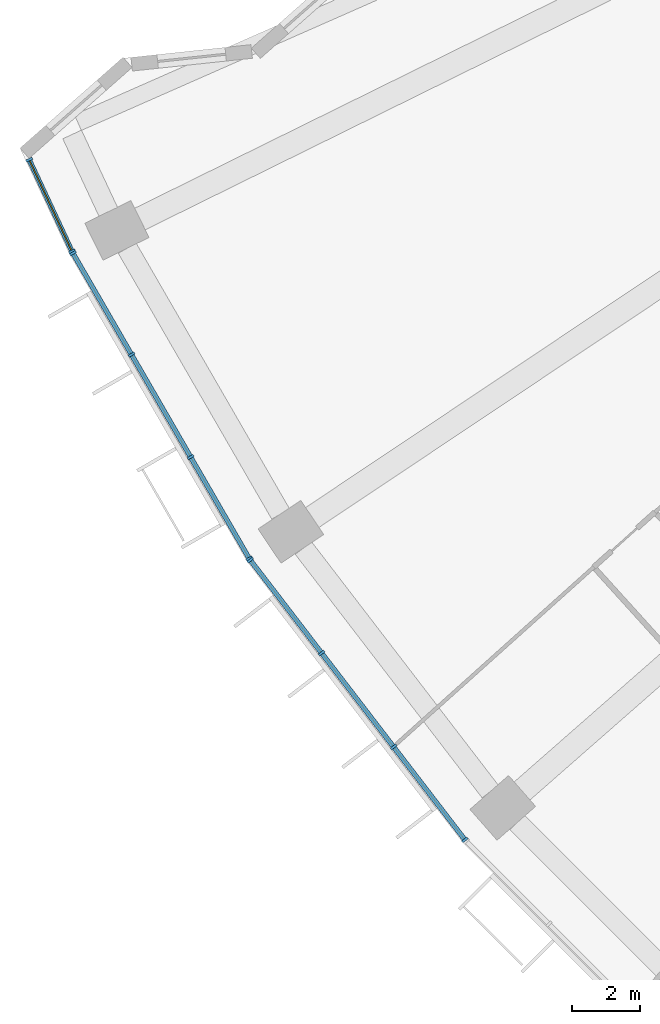
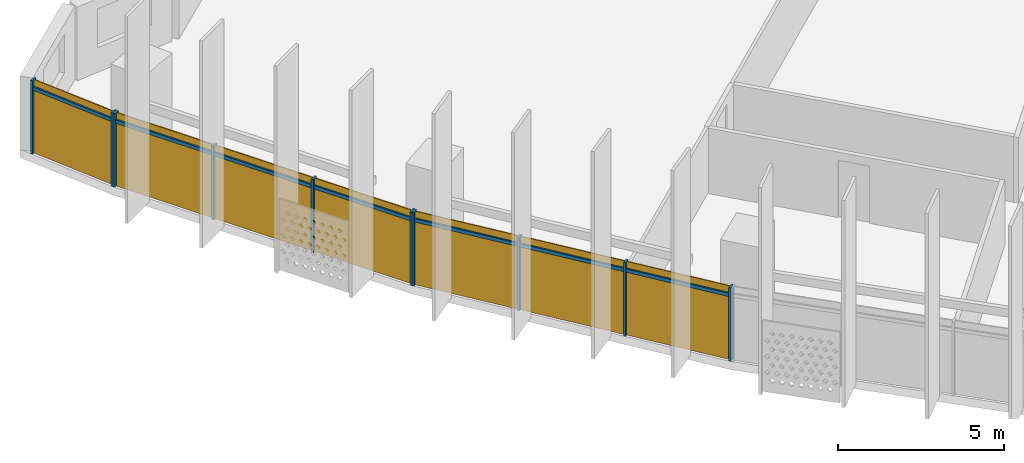
# One storey, part 19 of 29: 17 members, 3 curtain walls.
"""IFC4 building model written with IfcOpenShell, lengths in metres."""

from ifc_helpers import new_model, si_unit, direction, frame, origin, origin_2d, place, context, subcontext, project, spatial, rectangle, extrude, material, material_profile, profile_set, type_object, element, aggregate, save


model = new_model("IFC4")

# Units and contexts
model_context = context("Model", 3, precision=1e-05, world=origin(), true_north=direction((0.0, 1.0)))
body_context = subcontext(model_context, "Body", "Model", "MODEL_VIEW")
ifc_project = project(units=[si_unit("LENGTHUNIT", "METRE"), si_unit("AREAUNIT", "SQUARE_METRE"), si_unit("VOLUMEUNIT", "CUBIC_METRE"), si_unit("PLANEANGLEUNIT", "RADIAN"), si_unit("MASSUNIT", "GRAM", prefix="KILO")], contexts=[model_context])

# Member
ifc_material = material(Name="Aluminium 6063-T6 anodised", Category="aluminium")
ifc_material_profile_1 = material_profile(ifc_material, rectangle(XDim=0.199951171875, YDim=0.070068359375, at=origin_2d()))
ifc_profile_set_1 = profile_set([ifc_material_profile_1], Name="Aluminium 6063-T6 anodised")
member_type_1 = type_object("IfcMemberType", Name="Mullion 70 x 200 aluminium", PredefinedType="MULLION", material=ifc_profile_set_1)
site_placement = place(None, origin())
building_placement = place(site_placement, origin())
storey_placement = place(building_placement, frame((0.0, 0.0, 132.89990234375)))
member_1_placement = place(storey_placement, frame((-72.2958984375, -32.32177734375, 0.0), z_axis=(0.0, 0.0, 1.0), x_axis=(0.906174520745, 0.422903934662, 0.0)))
member_1 = element("IfcMember", 1, at=member_1_placement, type_object=member_type_1, Name="e-cw1-L30-out00/M00", PredefinedType="MULLION", context=body_context, shape_type="SweptSolid", body=[
    extrude(rectangle(XDim=0.199951171875, YDim=0.070068359375, at=origin_2d()), origin(), (0.0, 0.0, 1.0), 2.7001953125),
])

member_2_placement = place(storey_placement, frame((-71.046142578125, -34.99951171875, 0.0), z_axis=(0.0, 0.0, 1.0), x_axis=(0.906174520745, 0.422903934662, 0.0)))
member_2 = element("IfcMember", 2, at=member_2_placement, type_object=member_type_1, Name="e-cw1-L30-out00/M01", PredefinedType="MULLION", context=body_context, shape_type="SweptSolid", body=[
    extrude(rectangle(XDim=0.199951171875, YDim=0.070068359375, at=origin_2d()), origin(), (0.0, 0.0, 1.0), 2.7001953125),
])

member_3_placement = place(storey_placement, frame((-71.017822265625, -35.0537109375, 0.0), z_axis=(0.0, 0.0, 1.0), x_axis=(0.866025403784, 0.5, 0.0)))
member_3 = element("IfcMember", 3, at=member_3_placement, type_object=member_type_1, Name="e-cw1-L30-out01/M00", PredefinedType="MULLION", context=body_context, shape_type="SweptSolid", body=[
    extrude(rectangle(XDim=0.199951171875, YDim=0.070068359375, at=origin_2d()), origin(), (0.0, 0.0, 1.0), 2.7001953125),
])

member_4_placement = place(storey_placement, frame((-69.306640625, -38.017822265625, 0.0), z_axis=(0.0, 0.0, 1.0), x_axis=(0.866025403784, 0.5, 0.0)))
member_4 = element("IfcMember", 4, at=member_4_placement, type_object=member_type_1, Name="e-cw1-L30-out01/M01", PredefinedType="MULLION", context=body_context, shape_type="SweptSolid", body=[
    extrude(rectangle(XDim=0.199951171875, YDim=0.070068359375, at=origin_2d()), origin(), (0.0, 0.0, 1.0), 2.7001953125),
])

member_5_placement = place(storey_placement, frame((-67.577880859375, -41.01220703125, 0.0), z_axis=(0.0, 0.0, 1.0), x_axis=(0.866025403784, 0.5, 0.0)))
member_5 = element("IfcMember", 5, at=member_5_placement, type_object=member_type_1, Name="e-cw1-L30-out01/M02", PredefinedType="MULLION", context=body_context, shape_type="SweptSolid", body=[
    extrude(rectangle(XDim=0.199951171875, YDim=0.070068359375, at=origin_2d()), origin(), (0.0, 0.0, 1.0), 2.7001953125),
])

member_6_placement = place(storey_placement, frame((-65.866455078125, -43.976318359375, 0.0), z_axis=(0.0, 0.0, 1.0), x_axis=(0.866025403784, 0.5, 0.0)))
member_6 = element("IfcMember", 6, at=member_6_placement, type_object=member_type_1, Name="e-cw1-L30-out01/M03", PredefinedType="MULLION", context=body_context, shape_type="SweptSolid", body=[
    extrude(rectangle(XDim=0.199951171875, YDim=0.070068359375, at=origin_2d()), origin(), (0.0, 0.0, 1.0), 2.7001953125),
])

member_7_placement = place(storey_placement, frame((-65.8349609375, -44.023681640625, 0.0), z_axis=(0.0, 0.0, 1.0), x_axis=(0.793353340291, 0.608761429009, 0.0)))
member_7 = element("IfcMember", 7, at=member_7_placement, type_object=member_type_1, Name="e-cw1-L30-out02/M00", PredefinedType="MULLION", context=body_context, shape_type="SweptSolid", body=[
    extrude(rectangle(XDim=0.199951171875, YDim=0.070068359375, at=origin_2d()), origin(), (0.0, 0.0, 1.0), 2.7001953125),
])

member_8_placement = place(storey_placement, frame((-63.751220703125, -46.739013671875, 0.0), z_axis=(0.0, 0.0, 1.0), x_axis=(0.793353340291, 0.608761429009, 0.0)))
member_8 = element("IfcMember", 8, at=member_8_placement, type_object=member_type_1, Name="e-cw1-L30-out02/M01", PredefinedType="MULLION", context=body_context, shape_type="SweptSolid", body=[
    extrude(rectangle(XDim=0.199951171875, YDim=0.070068359375, at=origin_2d()), origin(), (0.0, 0.0, 1.0), 2.7001953125),
])

member_9_placement = place(storey_placement, frame((-61.646484375, -49.482177734375, 0.0), z_axis=(0.0, 0.0, 1.0), x_axis=(0.793353340291, 0.608761429009, 0.0)))
member_9 = element("IfcMember", 9, at=member_9_placement, type_object=member_type_1, Name="e-cw1-L30-out02/M02", PredefinedType="MULLION", context=body_context, shape_type="SweptSolid", body=[
    extrude(rectangle(XDim=0.199951171875, YDim=0.070068359375, at=origin_2d()), origin(), (0.0, 0.0, 1.0), 2.7001953125),
])

member_10_placement = place(storey_placement, frame((-59.56298828125, -52.197509765625, 0.0), z_axis=(0.0, 0.0, 1.0), x_axis=(0.793353340291, 0.608761429009, 0.0)))
member_10 = element("IfcMember", 10, at=member_10_placement, type_object=member_type_1, Name="e-cw1-L30-out02/M03", PredefinedType="MULLION", context=body_context, shape_type="SweptSolid", body=[
    extrude(rectangle(XDim=0.199951171875, YDim=0.070068359375, at=origin_2d()), origin(), (0.0, 0.0, 1.0), 2.7001953125),
])

ifc_material_profile_2 = material_profile(ifc_material, rectangle(XDim=0.139892578125, YDim=0.1201171875, at=origin_2d()))
ifc_profile_set_2 = profile_set([ifc_material_profile_2], Name="Aluminium 6063-T6 anodised")
member_type_2 = type_object("IfcMemberType", Name="Transom 120 x 140 aluminium", PredefinedType="USERDEFINED", material=ifc_profile_set_2)
member_11_placement = place(storey_placement, frame((-72.281005859375, -32.353515625, 2.400146484375), z_axis=(0.422880832464, -0.906185301986, 0.0), x_axis=(0.906185301986, 0.422880832464, 0.0)))
member_11 = element("IfcMember", 11, at=member_11_placement, type_object=member_type_2, Name="e-cw1-L30-out00/T00", ObjectType="TRANSOM", PredefinedType="USERDEFINED", context=body_context, shape_type="SweptSolid", body=[
    extrude(rectangle(XDim=0.139892578125, YDim=0.1201171875, at=origin_2d()), origin(), (0.0, 0.0, 1.0), 2.885009765625),
])

member_12_placement = place(storey_placement, frame((-71.00048828125, -35.084228515625, 2.400146484375), z_axis=(0.50006283963, -0.865989120267, 0.0), x_axis=(0.865989120267, 0.50006283963, 0.0)))
member_12 = element("IfcMember", 12, at=member_12_placement, type_object=member_type_2, Name="e-cw1-L30-out01/T00", ObjectType="TRANSOM", PredefinedType="USERDEFINED", context=body_context, shape_type="SweptSolid", body=[
    extrude(rectangle(XDim=0.139892578125, YDim=0.1201171875, at=origin_2d()), origin(), (0.0, 0.0, 1.0), 3.3525390625),
])

member_13_placement = place(storey_placement, frame((-69.2890625, -38.048095703125, 2.400146484375), z_axis=(0.499999017107, -0.866025971257, 0.0), x_axis=(0.866025971257, 0.499999017107, 0.0)))
member_13 = element("IfcMember", 13, at=member_13_placement, type_object=member_type_2, Name="e-cw1-L30-out01/T01", ObjectType="TRANSOM", PredefinedType="USERDEFINED", context=body_context, shape_type="SweptSolid", body=[
    extrude(rectangle(XDim=0.139892578125, YDim=0.1201171875, at=origin_2d()), origin(), (0.0, 0.0, 1.0), 3.3876953125),
])

member_14_placement = place(storey_placement, frame((-67.560302734375, -41.042724609375, 2.400146484375), z_axis=(0.50000822536, -0.866020654818, 0.0), x_axis=(0.866020654818, 0.50000822536, 0.0)))
member_14 = element("IfcMember", 14, at=member_14_placement, type_object=member_type_2, Name="e-cw1-L30-out01/T02", ObjectType="TRANSOM", PredefinedType="USERDEFINED", context=body_context, shape_type="SweptSolid", body=[
    extrude(rectangle(XDim=0.139892578125, YDim=0.1201171875, at=origin_2d()), origin(), (0.0, 0.0, 1.0), 3.3525390625),
])

member_15_placement = place(storey_placement, frame((-65.8134765625, -44.05126953125, 2.400146484375), z_axis=(0.608714331426, -0.793389477316, 0.0), x_axis=(0.793389477316, 0.608714331426, 0.0)))
member_15 = element("IfcMember", 15, at=member_15_placement, type_object=member_type_2, Name="e-cw1-L30-out02/T00", ObjectType="TRANSOM", PredefinedType="USERDEFINED", context=body_context, shape_type="SweptSolid", body=[
    extrude(rectangle(XDim=0.139892578125, YDim=0.1201171875, at=origin_2d()), origin(), (0.0, 0.0, 1.0), 3.3525390625),
])

member_16_placement = place(storey_placement, frame((-63.72998046875, -46.766845703125, 2.400146484375), z_axis=(0.608773427772, -0.793344133173, 0.0), x_axis=(0.793344133173, 0.608773427772, 0.0)))
member_16 = element("IfcMember", 16, at=member_16_placement, type_object=member_type_2, Name="e-cw1-L30-out02/T01", ObjectType="TRANSOM", PredefinedType="USERDEFINED", context=body_context, shape_type="SweptSolid", body=[
    extrude(rectangle(XDim=0.139892578125, YDim=0.1201171875, at=origin_2d()), origin(), (0.0, 0.0, 1.0), 3.387451171875),
])

member_17_placement = place(storey_placement, frame((-61.625244140625, -49.509765625, 2.400146484375), z_axis=(0.608760167055, -0.793354308621, 0.0), x_axis=(0.793354308621, 0.608760167055, 0.0)))
member_17 = element("IfcMember", 17, at=member_17_placement, type_object=member_type_2, Name="e-cw1-L30-out02/T02", ObjectType="TRANSOM", PredefinedType="USERDEFINED", context=body_context, shape_type="SweptSolid", body=[
    extrude(rectangle(XDim=0.139892578125, YDim=0.1201171875, at=origin_2d()), origin(), (0.0, 0.0, 1.0), 3.352783203125),
])

# Site, building, storey
site = spatial("IfcSite", under=ifc_project, at=site_placement, CompositionType="ELEMENT")
building = spatial("IfcBuilding", under=site, at=building_placement, Name="Qamariyya Broadcast Tower", CompositionType="ELEMENT")
storey = spatial("IfcBuildingStorey", under=building, at=storey_placement, Name="L30", CompositionType="ELEMENT", Elevation=132.89990234375)

# Curtain wall
curtain_wall_type = type_object("IfcCurtainWallType", Name="Unitised curtain wall, anodised aluminium", PredefinedType="NOTDEFINED", material=ifc_material)
curtain_wall_1_placement = place(storey_placement, origin())
curtain_wall_1 = element("IfcCurtainWall", 18, at=curtain_wall_1_placement, inside=storey, type_object=curtain_wall_type, Name="e-cw1-L30-out00", PredefinedType="NOTDEFINED", context=body_context, shape_type="SweptSolid", body=[
    extrude(rectangle(XDim=2.885009765625, YDim=0.031982421875, at=origin_2d()), frame((-71.6708984375, -33.66064453125, 0.0), x_axis=(0.422836862311, -0.906205819818, 0.0)), (0.0, 0.0, 1.0), 2.340087890625),
    extrude(rectangle(XDim=2.885009765625, YDim=0.031982421875, at=origin_2d()), frame((-71.6708984375, -33.66064453125, 2.460205078125), x_axis=(0.422836862311, -0.906205819818, 0.0)), (0.0, 0.0, 1.0), 0.239990234375),
])

aggregate(curtain_wall_1, [member_1, member_2, member_11])

curtain_wall_2_placement = place(storey_placement, origin())
curtain_wall_2 = element("IfcCurtainWall", 19, at=curtain_wall_2_placement, inside=storey, type_object=curtain_wall_type, Name="e-cw1-L30-out01", PredefinedType="NOTDEFINED", context=body_context, shape_type="SweptSolid", body=[
    extrude(rectangle(XDim=3.352783203125, YDim=0.031982421875, at=origin_2d()), frame((-70.162109375, -36.535888671875, 0.0), x_axis=(0.499996813733, -0.866027243369, 0.0)), (0.0, 0.0, 1.0), 2.340087890625),
    extrude(rectangle(XDim=3.352783203125, YDim=0.031982421875, at=origin_2d()), frame((-70.162109375, -36.535888671875, 2.460205078125), x_axis=(0.499996813733, -0.866027243369, 0.0)), (0.0, 0.0, 1.0), 0.239990234375),
    extrude(rectangle(XDim=3.3876953125, YDim=0.031982421875, at=origin_2d()), frame((-68.442138671875, -39.51513671875, 0.0), x_axis=(0.499996813733, -0.866027243369, 0.0)), (0.0, 0.0, 1.0), 2.340087890625),
    extrude(rectangle(XDim=3.3876953125, YDim=0.031982421875, at=origin_2d()), frame((-68.442138671875, -39.51513671875, 2.460205078125), x_axis=(0.499996813733, -0.866027243369, 0.0)), (0.0, 0.0, 1.0), 0.239990234375),
    extrude(rectangle(XDim=3.352783203125, YDim=0.031982421875, at=origin_2d()), frame((-66.72216796875, -42.494384765625, 0.0), x_axis=(0.499996813733, -0.866027243369, 0.0)), (0.0, 0.0, 1.0), 2.340087890625),
    extrude(rectangle(XDim=3.352783203125, YDim=0.031982421875, at=origin_2d()), frame((-66.72216796875, -42.494384765625, 2.460205078125), x_axis=(0.499996813733, -0.866027243369, 0.0)), (0.0, 0.0, 1.0), 0.239990234375),
])

aggregate(curtain_wall_2, [member_3, member_4, member_5, member_6, member_12, member_13, member_14])

curtain_wall_3_placement = place(storey_placement, origin())
curtain_wall_3 = element("IfcCurtainWall", 20, at=curtain_wall_3_placement, inside=storey, type_object=curtain_wall_type, Name="e-cw1-L30-out02", PredefinedType="NOTDEFINED", context=body_context, shape_type="SweptSolid", body=[
    extrude(rectangle(XDim=3.352783203125, YDim=0.031982421875, at=origin_2d()), frame((-64.793212890625, -45.38134765625, 0.0), x_axis=(0.608760568165, -0.793354000839, 0.0)), (0.0, 0.0, 1.0), 2.340087890625),
    extrude(rectangle(XDim=3.352783203125, YDim=0.031982421875, at=origin_2d()), frame((-64.793212890625, -45.38134765625, 2.460205078125), x_axis=(0.608760568165, -0.793354000839, 0.0)), (0.0, 0.0, 1.0), 0.239990234375),
    extrude(rectangle(XDim=3.3876953125, YDim=0.031982421875, at=origin_2d()), frame((-62.69873046875, -48.110595703125, 0.0), x_axis=(0.608760568165, -0.793354000839, 0.0)), (0.0, 0.0, 1.0), 2.340087890625),
    extrude(rectangle(XDim=3.3876953125, YDim=0.031982421875, at=origin_2d()), frame((-62.69873046875, -48.110595703125, 2.460205078125), x_axis=(0.608760568165, -0.793354000839, 0.0)), (0.0, 0.0, 1.0), 0.239990234375),
    extrude(rectangle(XDim=3.352783203125, YDim=0.031982421875, at=origin_2d()), frame((-60.6044921875, -50.83984375, 0.0), x_axis=(0.608760568165, -0.793354000839, 0.0)), (0.0, 0.0, 1.0), 2.340087890625),
    extrude(rectangle(XDim=3.352783203125, YDim=0.031982421875, at=origin_2d()), frame((-60.6044921875, -50.83984375, 2.460205078125), x_axis=(0.608760568165, -0.793354000839, 0.0)), (0.0, 0.0, 1.0), 0.239990234375),
])

aggregate(curtain_wall_3, [member_7, member_8, member_9, member_10, member_15, member_16, member_17])

save(model, "model.ifc")
